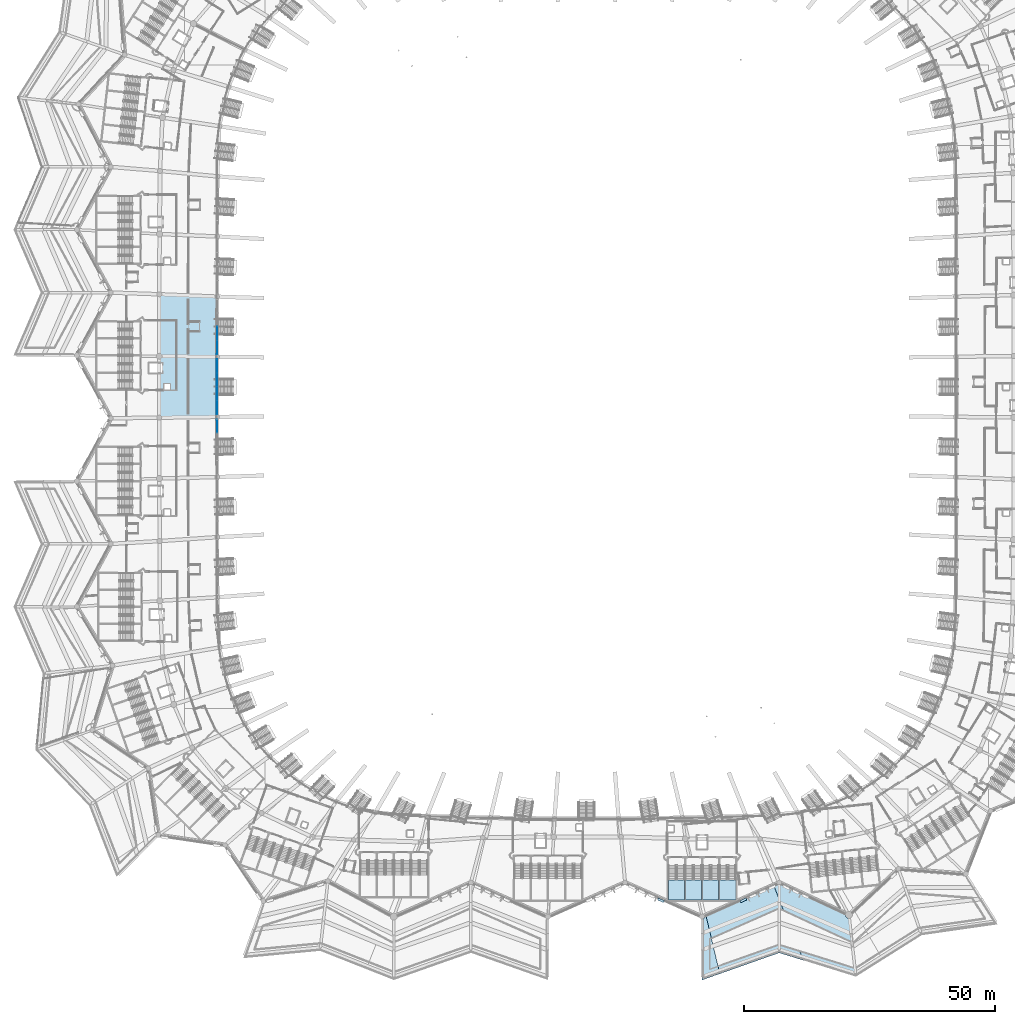
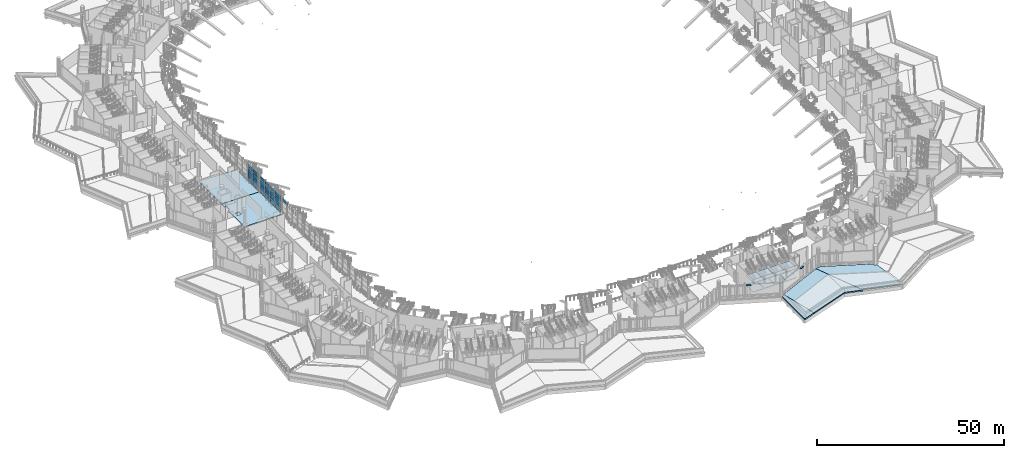
# One storey, part 27 of 173: 27 plates, 13 slabs, 7 elements without a shape of their own.
"""IFC4 building model written with IfcOpenShell, lengths in metres."""

from ifc_helpers import new_model, si_unit, direction, frame, origin, origin_2d, place, context, subcontext, project, spatial, polyline, rectangle, outline, extrude, material, layer, layer_set, type_object, element, aggregate, save


model = new_model("IFC4")

# Units and contexts
model_context = context("Model", 3, precision=1e-05, world=origin(), true_north=direction((0.0, 1.0)))
body_context = subcontext(model_context, "Body", "Model", "MODEL_VIEW")
ifc_project = project(units=[si_unit("LENGTHUNIT", "METRE"), si_unit("AREAUNIT", "SQUARE_METRE"), si_unit("VOLUMEUNIT", "CUBIC_METRE"), si_unit("PLANEANGLEUNIT", "RADIAN"), si_unit("MASSUNIT", "GRAM", prefix="KILO")], contexts=[model_context])

# Site, building, storey
site_placement = place(None, origin())
site = spatial("IfcSite", under=ifc_project, at=site_placement, CompositionType="ELEMENT")
building_placement = place(site_placement, origin())
building = spatial("IfcBuilding", under=site, at=building_placement, Name="Meseta Stadium", CompositionType="ELEMENT")
storey_placement = place(building_placement, frame((0.0, 0.0, 18.0)))
storey = spatial("IfcBuildingStorey", under=building, at=storey_placement, Name="L03", CompositionType="ELEMENT", Elevation=18.0)

# Curtain wall, plates
ifc_material_1 = material(Name="Aluminium", Category="aluminium")
ifc_layer_1 = layer(ifc_material_1, 0.25)
ifc_layer_set_1 = layer_set([ifc_layer_1], Name="Media Centre glazing curtain wall")
curtain_wall_type = type_object("IfcCurtainWallType", Name="Media Centre glazing curtain wall", PredefinedType="NOTDEFINED", material=ifc_layer_set_1)
curtain_wall_1_placement = place(storey_placement, origin())
curtain_wall_1 = element("IfcCurtainWall", 1, at=curtain_wall_1_placement, inside=storey, type_object=curtain_wall_type, Name="Media Centre glazing bay 31", PredefinedType="NOTDEFINED")
ifc_material_2 = material(Name="Glass", Category="glass")
ifc_layer_2 = layer(ifc_material_2, 0.028076171875)
ifc_layer_set_2 = layer_set([ifc_layer_2], Name="CW glass panel 28")
plate_type_1 = type_object("IfcPlateType", Name="CW glass panel 28", PredefinedType="CURTAIN_PANEL", material=ifc_layer_set_2)
plate_1_placement = place(storey_placement, frame((-73.491943359375, 10.586669921875, 0.1201171875), z_axis=(0.0, 0.0, 1.0), x_axis=(-0.001305425729, -0.999999147931, 0.0)))
plate_1 = element("IfcPlate", 2, at=plate_1_placement, type_object=plate_type_1, Name="CWM panel 3.1", PredefinedType="CURTAIN_PANEL", context=body_context, shape_type="SweptSolid", body=[
    extrude(rectangle(XDim=2.69091796875, YDim=0.028076171875, at=origin_2d()), origin(), (0.0, 0.0, 1.0), 1.232421875),
])
plate_2_placement = place(storey_placement, frame((-73.491943359375, 10.586669921875, 1.472412109375), z_axis=(0.0, 0.0, 1.0), x_axis=(-0.001305425729, -0.999999147931, 0.0)))
plate_2 = element("IfcPlate", 3, at=plate_2_placement, type_object=plate_type_1, Name="CWM panel 3.2", PredefinedType="CURTAIN_PANEL", context=body_context, shape_type="SweptSolid", body=[
    extrude(rectangle(XDim=2.69091796875, YDim=0.028076171875, at=origin_2d()), origin(), (0.0, 0.0, 1.0), 1.29248046875),
])
plate_3_placement = place(storey_placement, frame((-73.491943359375, 10.586669921875, 2.884765625), z_axis=(0.0, 0.0, 1.0), x_axis=(-0.001305425729, -0.999999147931, 0.0)))
plate_3 = element("IfcPlate", 4, at=plate_3_placement, type_object=plate_type_1, Name="CWM panel 3.3", PredefinedType="CURTAIN_PANEL", context=body_context, shape_type="SweptSolid", body=[
    extrude(rectangle(XDim=2.69091796875, YDim=0.028076171875, at=origin_2d()), origin(), (0.0, 0.0, 1.0), 1.522705078125),
])
plate_4_placement = place(storey_placement, frame((-73.491943359375, 10.586669921875, 4.52783203125), z_axis=(0.0, 0.0, 1.0), x_axis=(-0.001305425729, -0.999999147931, 0.0)))
plate_4 = element("IfcPlate", 5, at=plate_4_placement, type_object=plate_type_1, Name="CWM panel 3.4", PredefinedType="CURTAIN_PANEL", context=body_context, shape_type="SweptSolid", body=[
    extrude(rectangle(XDim=2.69091796875, YDim=0.028076171875, at=origin_2d()), origin(), (0.0, 0.0, 1.0), 1.002197265625),
])
plate_5_placement = place(storey_placement, frame((-73.49560546875, 7.850830078125, 0.1201171875), z_axis=(0.0, 0.0, 1.0), x_axis=(-0.001305425729, -0.999999147931, 0.0)))
plate_5 = element("IfcPlate", 6, at=plate_5_placement, type_object=plate_type_1, Name="CWM panel 4.1", PredefinedType="CURTAIN_PANEL", context=body_context, shape_type="SweptSolid", body=[
    extrude(rectangle(XDim=2.6611328125, YDim=0.028076171875, at=origin_2d()), origin(), (0.0, 0.0, 1.0), 1.232421875),
])
plate_6_placement = place(storey_placement, frame((-73.49560546875, 7.850830078125, 1.472412109375), z_axis=(0.0, 0.0, 1.0), x_axis=(-0.001305425729, -0.999999147931, 0.0)))
plate_6 = element("IfcPlate", 7, at=plate_6_placement, type_object=plate_type_1, Name="CWM panel 4.2", PredefinedType="CURTAIN_PANEL", context=body_context, shape_type="SweptSolid", body=[
    extrude(rectangle(XDim=2.6611328125, YDim=0.028076171875, at=origin_2d()), origin(), (0.0, 0.0, 1.0), 1.29248046875),
])
plate_7_placement = place(storey_placement, frame((-73.49560546875, 7.850830078125, 2.884765625), z_axis=(0.0, 0.0, 1.0), x_axis=(-0.001305425729, -0.999999147931, 0.0)))
plate_7 = element("IfcPlate", 8, at=plate_7_placement, type_object=plate_type_1, Name="CWM panel 4.3", PredefinedType="CURTAIN_PANEL", context=body_context, shape_type="SweptSolid", body=[
    extrude(rectangle(XDim=2.6611328125, YDim=0.028076171875, at=origin_2d()), origin(), (0.0, 0.0, 1.0), 1.522705078125),
])
plate_8_placement = place(storey_placement, frame((-73.49560546875, 7.850830078125, 4.52783203125), z_axis=(0.0, 0.0, 1.0), x_axis=(-0.001305425729, -0.999999147931, 0.0)))
plate_8 = element("IfcPlate", 9, at=plate_8_placement, type_object=plate_type_1, Name="CWM panel 4.4", PredefinedType="CURTAIN_PANEL", context=body_context, shape_type="SweptSolid", body=[
    extrude(rectangle(XDim=2.6611328125, YDim=0.028076171875, at=origin_2d()), origin(), (0.0, 0.0, 1.0), 1.002197265625),
])
aggregate(curtain_wall_1, [plate_1, plate_2, plate_3, plate_4, plate_5, plate_6, plate_7, plate_8])

curtain_wall_2_placement = place(storey_placement, origin())
curtain_wall_2 = element("IfcCurtainWall", 10, at=curtain_wall_2_placement, inside=storey, type_object=curtain_wall_type, Name="Media Centre glazing bay 32", PredefinedType="NOTDEFINED")
plate_9_placement = place(storey_placement, frame((-73.498046875, 4.11181640625, 0.1201171875), z_axis=(0.0, 0.0, 1.0), x_axis=(0.0, -1.0, 0.0)))
plate_9 = element("IfcPlate", 11, at=plate_9_placement, type_object=plate_type_1, Name="CWM panel 1.1", PredefinedType="CURTAIN_PANEL", context=body_context, shape_type="SweptSolid", body=[
    extrude(rectangle(XDim=2.6611328125, YDim=0.028076171875, at=origin_2d()), origin(), (0.0, 0.0, 1.0), 1.232421875),
])
plate_10_placement = place(storey_placement, frame((-73.498046875, 4.11181640625, 1.472412109375), z_axis=(0.0, 0.0, 1.0), x_axis=(0.0, -1.0, 0.0)))
plate_10 = element("IfcPlate", 12, at=plate_10_placement, type_object=plate_type_1, Name="CWM panel 1.2", PredefinedType="CURTAIN_PANEL", context=body_context, shape_type="SweptSolid", body=[
    extrude(rectangle(XDim=2.6611328125, YDim=0.028076171875, at=origin_2d()), origin(), (0.0, 0.0, 1.0), 1.29248046875),
])
plate_11_placement = place(storey_placement, frame((-73.498046875, 4.11181640625, 2.884765625), z_axis=(0.0, 0.0, 1.0), x_axis=(0.0, -1.0, 0.0)))
plate_11 = element("IfcPlate", 13, at=plate_11_placement, type_object=plate_type_1, Name="CWM panel 1.3", PredefinedType="CURTAIN_PANEL", context=body_context, shape_type="SweptSolid", body=[
    extrude(rectangle(XDim=2.6611328125, YDim=0.028076171875, at=origin_2d()), origin(), (0.0, 0.0, 1.0), 1.451904296875),
])
plate_12_placement = place(storey_placement, frame((-73.498046875, 4.11181640625, 4.456787109375), z_axis=(0.0, 0.0, 1.0), x_axis=(0.0, -1.0, 0.0)))
plate_12 = element("IfcPlate", 14, at=plate_12_placement, type_object=plate_type_1, Name="CWM panel 1.4", PredefinedType="CURTAIN_PANEL", context=body_context, shape_type="SweptSolid", body=[
    extrude(rectangle(XDim=2.6611328125, YDim=0.028076171875, at=origin_2d()), origin(), (0.0, 0.0, 1.0), 1.0732421875),
])
plate_13_placement = place(storey_placement, frame((-73.498046875, 1.37548828125, 0.1201171875), z_axis=(0.0, 0.0, 1.0), x_axis=(0.0, -1.0, 0.0)))
plate_13 = element("IfcPlate", 15, at=plate_13_placement, type_object=plate_type_1, Name="CWM panel 2.1", PredefinedType="CURTAIN_PANEL", context=body_context, shape_type="SweptSolid", body=[
    extrude(rectangle(XDim=2.691162109375, YDim=0.028076171875, at=origin_2d()), origin(), (0.0, 0.0, 1.0), 1.232421875),
])
plate_14_placement = place(storey_placement, frame((-73.498046875, 1.37548828125, 1.472412109375), z_axis=(0.0, 0.0, 1.0), x_axis=(0.0, -1.0, 0.0)))
plate_14 = element("IfcPlate", 16, at=plate_14_placement, type_object=plate_type_1, Name="CWM panel 2.2", PredefinedType="CURTAIN_PANEL", context=body_context, shape_type="SweptSolid", body=[
    extrude(rectangle(XDim=2.691162109375, YDim=0.028076171875, at=origin_2d()), origin(), (0.0, 0.0, 1.0), 1.29248046875),
])
plate_15_placement = place(storey_placement, frame((-73.498046875, 1.37548828125, 2.884765625), z_axis=(0.0, 0.0, 1.0), x_axis=(0.0, -1.0, 0.0)))
plate_15 = element("IfcPlate", 17, at=plate_15_placement, type_object=plate_type_1, Name="CWM panel 2.3", PredefinedType="CURTAIN_PANEL", context=body_context, shape_type="SweptSolid", body=[
    extrude(rectangle(XDim=2.691162109375, YDim=0.028076171875, at=origin_2d()), origin(), (0.0, 0.0, 1.0), 1.451904296875),
])
plate_16_placement = place(storey_placement, frame((-73.498046875, 1.37548828125, 4.456787109375), z_axis=(0.0, 0.0, 1.0), x_axis=(0.0, -1.0, 0.0)))
plate_16 = element("IfcPlate", 18, at=plate_16_placement, type_object=plate_type_1, Name="CWM panel 2.4", PredefinedType="CURTAIN_PANEL", context=body_context, shape_type="SweptSolid", body=[
    extrude(rectangle(XDim=2.691162109375, YDim=0.028076171875, at=origin_2d()), origin(), (0.0, 0.0, 1.0), 1.0732421875),
])
plate_17_placement = place(storey_placement, frame((-73.498046875, -1.37548828125, 0.1201171875), z_axis=(0.0, 0.0, 1.0), x_axis=(0.0, -1.0, 0.0)))
plate_17 = element("IfcPlate", 19, at=plate_17_placement, type_object=plate_type_1, Name="CWM panel 3.1", PredefinedType="CURTAIN_PANEL", context=body_context, shape_type="SweptSolid", body=[
    extrude(rectangle(XDim=2.691162109375, YDim=0.028076171875, at=origin_2d()), origin(), (0.0, 0.0, 1.0), 1.232421875),
])
plate_18_placement = place(storey_placement, frame((-73.498046875, -1.37548828125, 1.472412109375), z_axis=(0.0, 0.0, 1.0), x_axis=(0.0, -1.0, 0.0)))
plate_18 = element("IfcPlate", 20, at=plate_18_placement, type_object=plate_type_1, Name="CWM panel 3.2", PredefinedType="CURTAIN_PANEL", context=body_context, shape_type="SweptSolid", body=[
    extrude(rectangle(XDim=2.691162109375, YDim=0.028076171875, at=origin_2d()), origin(), (0.0, 0.0, 1.0), 1.29248046875),
])
plate_19_placement = place(storey_placement, frame((-73.498046875, -1.37548828125, 2.884765625), z_axis=(0.0, 0.0, 1.0), x_axis=(0.0, -1.0, 0.0)))
plate_19 = element("IfcPlate", 21, at=plate_19_placement, type_object=plate_type_1, Name="CWM panel 3.3", PredefinedType="CURTAIN_PANEL", context=body_context, shape_type="SweptSolid", body=[
    extrude(rectangle(XDim=2.691162109375, YDim=0.028076171875, at=origin_2d()), origin(), (0.0, 0.0, 1.0), 1.451904296875),
])
plate_20_placement = place(storey_placement, frame((-73.498046875, -1.37548828125, 4.456787109375), z_axis=(0.0, 0.0, 1.0), x_axis=(0.0, -1.0, 0.0)))
plate_20 = element("IfcPlate", 22, at=plate_20_placement, type_object=plate_type_1, Name="CWM panel 3.4", PredefinedType="CURTAIN_PANEL", context=body_context, shape_type="SweptSolid", body=[
    extrude(rectangle(XDim=2.691162109375, YDim=0.028076171875, at=origin_2d()), origin(), (0.0, 0.0, 1.0), 1.0732421875),
])
plate_21_placement = place(storey_placement, frame((-73.498046875, -4.11181640625, 0.1201171875), z_axis=(0.0, 0.0, 1.0), x_axis=(0.0, -1.0, 0.0)))
plate_21 = element("IfcPlate", 23, at=plate_21_placement, type_object=plate_type_1, Name="CWM panel 4.1", PredefinedType="CURTAIN_PANEL", context=body_context, shape_type="SweptSolid", body=[
    extrude(rectangle(XDim=2.6611328125, YDim=0.028076171875, at=origin_2d()), origin(), (0.0, 0.0, 1.0), 1.232421875),
])
plate_22_placement = place(storey_placement, frame((-73.498046875, -4.11181640625, 1.472412109375), z_axis=(0.0, 0.0, 1.0), x_axis=(0.0, -1.0, 0.0)))
plate_22 = element("IfcPlate", 24, at=plate_22_placement, type_object=plate_type_1, Name="CWM panel 4.2", PredefinedType="CURTAIN_PANEL", context=body_context, shape_type="SweptSolid", body=[
    extrude(rectangle(XDim=2.6611328125, YDim=0.028076171875, at=origin_2d()), origin(), (0.0, 0.0, 1.0), 1.29248046875),
])
plate_23_placement = place(storey_placement, frame((-73.498046875, -4.11181640625, 2.884765625), z_axis=(0.0, 0.0, 1.0), x_axis=(0.0, -1.0, 0.0)))
plate_23 = element("IfcPlate", 25, at=plate_23_placement, type_object=plate_type_1, Name="CWM panel 4.3", PredefinedType="CURTAIN_PANEL", context=body_context, shape_type="SweptSolid", body=[
    extrude(rectangle(XDim=2.6611328125, YDim=0.028076171875, at=origin_2d()), origin(), (0.0, 0.0, 1.0), 1.451904296875),
])
plate_24_placement = place(storey_placement, frame((-73.498046875, -4.11181640625, 4.456787109375), z_axis=(0.0, 0.0, 1.0), x_axis=(0.0, -1.0, 0.0)))
plate_24 = element("IfcPlate", 26, at=plate_24_placement, type_object=plate_type_1, Name="CWM panel 4.4", PredefinedType="CURTAIN_PANEL", context=body_context, shape_type="SweptSolid", body=[
    extrude(rectangle(XDim=2.6611328125, YDim=0.028076171875, at=origin_2d()), origin(), (0.0, 0.0, 1.0), 1.0732421875),
])
aggregate(curtain_wall_2, [plate_9, plate_10, plate_11, plate_12, plate_13, plate_14, plate_15, plate_16, plate_17, plate_18, plate_19, plate_20, plate_21, plate_22, plate_23, plate_24])

# Curtain wall, plate
curtain_wall_3_placement = place(storey_placement, origin())
curtain_wall_3 = element("IfcCurtainWall", 27, at=curtain_wall_3_placement, inside=storey, type_object=curtain_wall_type, Name="Media Centre glazing bay 33", PredefinedType="NOTDEFINED")
plate_25_placement = place(storey_placement, frame((-73.49560546875, -7.850830078125, 4.52783203125), z_axis=(0.0, 0.0, 1.0), x_axis=(0.001305425729, -0.999999147931, 0.0)))
plate_25 = element("IfcPlate", 28, at=plate_25_placement, type_object=plate_type_1, Name="CWM panel 1.4", PredefinedType="CURTAIN_PANEL", context=body_context, shape_type="SweptSolid", body=[
    extrude(rectangle(XDim=2.6611328125, YDim=0.028076171875, at=origin_2d()), origin(), (0.0, 0.0, 1.0), 1.002197265625),
])
aggregate(curtain_wall_3, [plate_25])

# Slabs
ifc_material_3 = material(Name="Concrete C40/50", Category="concrete")
ifc_layer_3 = layer(ifc_material_3, 0.35009765625)
ifc_layer_set_3 = layer_set([ifc_layer_3], Name="Floor slab 350")
slab_type_1 = type_object("IfcSlabType", Name="Floor slab 350", PredefinedType="FLOOR", material=ifc_layer_set_3)
slab_1_placement = place(storey_placement, frame((0.0, 0.0, -0.35009765625)))
element("IfcSlab", 29, at=slab_1_placement, inside=storey, type_object=slab_type_1, Name="Floor slab L03 sector 28 panel 08", PredefinedType="FLOOR", context=body_context, shape_type="SweptSolid", body=[
    extrude(outline(polyline([(-73.482421875, 17.943603515625), (-84.97314453125, 18.41064453125), (-84.99755859375, 6.107421875), (-73.498046875, 5.981201171875), (-73.49462890625, 9.96875), (-73.482421875, 17.943603515625)])), origin(), (0.0, 0.0, 1.0), 0.35009765625),
])
slab_2_placement = place(storey_placement, frame((0.0, 0.0, -0.35009765625)))
element("IfcSlab", 30, at=slab_2_placement, inside=storey, type_object=slab_type_1, Name="Floor slab L03 sector 28 panel 11", PredefinedType="FLOOR", context=body_context, shape_type="SweptSolid", body=[
    extrude(outline(polyline([(-73.498046875, 5.981201171875), (-84.99755859375, 6.107421875), (-84.99755859375, 4.699951171875), (-84.39990234375, 4.699951171875), (-84.39990234375, 2.800048828125), (-84.997314453125, 2.800048828125), (-84.9970703125, -6.107421875), (-73.498046875, -5.981201171875), (-73.499755859375, -1.993896484375), (-73.498046875, 5.981201171875)]), holes=[polyline([(-82.85009765625, -0.60009765625), (-84.050048828125, -0.60009765625), (-84.050048828125, 0.60009765625), (-82.85009765625, 0.60009765625), (-82.85009765625, -0.60009765625)])]), origin(), (0.0, 0.0, 1.0), 0.35009765625),
])

# Plates
ifc_material_4 = material(Name="White precast concrete C40/50", Category="concrete")
ifc_layer_4 = layer(ifc_material_4, 0.080078125)
ifc_layer_set_4 = layer_set([ifc_layer_4], Name="Louvre hood 1300x450")
plate_type_2 = type_object("IfcPlateType", Name="Louvre hood 1300x450", PredefinedType="USERDEFINED", material=ifc_layer_set_4)
for number, where, z_axis, x_axis, name in (
    (31, (14.792236328125, -102.142822265625, 4.25), (0.0, 0.0, 1.0), (0.914139046248, -0.40540079443, 0.0), "Louvre hood L03 F47"),
    (32, (31.207763671875, -102.142822265625, 4.25), (0.0, 0.0, 1.0), (0.914139046248, 0.40540079443, 0.0), "Louvre hood L03 F48"),
):
    element("IfcPlate", number, at=place(storey_placement, frame(where, z_axis=z_axis, x_axis=x_axis)), inside=storey, type_object=plate_type_2, Name=name, ObjectType="LOUVRE", PredefinedType="USERDEFINED", context=body_context, shape_type="SweptSolid", body=[
        extrude(rectangle(XDim=1.300048828125, YDim=0.449951171875, at=origin_2d()), origin(), (0.0, 0.0, 1.0), 0.080078125),
    ])

# Slabs
ifc_material_5 = material(Name="Concrete C40/50", Category="concrete")
ifc_layer_5 = layer(ifc_material_5, 0.39990234375)
ifc_layer_set_5 = layer_set([ifc_layer_5], Name="Roof garden slab 400")
slab_type_2 = type_object("IfcSlabType", Name="Roof garden slab 400", PredefinedType="ROOF", material=ifc_layer_set_5)
slab_3_placement = place(storey_placement, frame((0.0, 0.0, -0.39990234375)))
element("IfcSlab", 33, at=slab_3_placement, inside=storey, type_object=slab_type_2, Name="Roof garden slab 7 part 1 panel 01", PredefinedType="ROOF", context=body_context, shape_type="SweptSolid", body=[
    extrude(outline(polyline([(23.767578125, -105.2236328125), (23.496826171875, -105.34375), (23.50439453125, -105.39990234375), (23.487060546875, -105.530517578125), (23.436767578125, -105.652099609375), (23.356689453125, -105.756591796875), (23.252197265625, -105.836669921875), (23.130615234375, -105.88720703125), (23.0, -105.904296875), (23.0, -118.0), (26.514892578125, -116.76220703125), (23.767578125, -105.2236328125)])), origin(), (0.0, 0.0, 1.0), 0.39990234375),
])
slab_4_placement = place(storey_placement, frame((0.0, 0.0, -0.39990234375)))
element("IfcSlab", 34, at=slab_4_placement, inside=storey, type_object=slab_type_2, Name="Roof garden slab 7 part 1 panel 02", PredefinedType="ROOF", context=body_context, shape_type="SweptSolid", body=[
    extrude(outline(polyline([(43.118408203125, -114.085205078125), (37.232421875, -99.25244140625), (23.767578125, -105.2236328125), (26.514892578125, -116.76220703125), (38.333251953125, -112.60009765625), (43.118408203125, -114.085205078125)])), origin(), (0.0, 0.0, 1.0), 0.39990234375),
])
slab_5_placement = place(storey_placement, frame((0.0, 0.0, -0.39990234375)))
element("IfcSlab", 35, at=slab_5_placement, inside=storey, type_object=slab_type_2, Name="Roof garden slab 7 part 2 panel 01", PredefinedType="ROOF", context=body_context, shape_type="SweptSolid", body=[
    extrude(outline(polyline([(38.560302734375, -98.9931640625), (38.45068359375, -99.038330078125), (38.333251953125, -99.053955078125), (38.2158203125, -99.038330078125), (38.1064453125, -98.9931640625), (38.012451171875, -98.9208984375), (38.004150390625, -98.91015625), (37.25048828125, -99.244384765625), (42.87451171875, -113.4169921875), (53.51953125, -116.73828125), (52.28125, -105.747314453125), (52.202880859375, -105.7578125), (52.02001953125, -105.733642578125), (51.849853515625, -105.6630859375), (51.70361328125, -105.55078125), (51.59130859375, -105.40478515625), (51.520751953125, -105.234375), (51.496826171875, -105.0517578125), (51.51708984375, -104.898193359375), (38.65771484375, -98.91650390625), (38.654296875, -98.9208984375), (38.560302734375, -98.9931640625)])), origin(), (0.0, 0.0, 1.0), 0.39990234375),
])

# Stair, slabs
ifc_material_6 = material(Name="Concrete C40/50", Category="concrete")
stair_type = type_object("IfcStairType", Name="Exit stair 4 flights 150 mm risers", PredefinedType="HALF_TURN_STAIR", material=ifc_material_6)
stair_1_placement = place(storey_placement, origin())
stair_1 = element("IfcStair", 36, at=stair_1_placement, inside=storey, type_object=stair_type, Name="ST97 L03", PredefinedType="HALF_TURN_STAIR")
ifc_material_7 = material(Name="Concrete C40/50", Category="concrete")
ifc_layer_6 = layer(ifc_material_7, 0.199951171875)
ifc_layer_set_6 = layer_set([ifc_layer_6], Name="Stair landing 200")
slab_type_3 = type_object("IfcSlabType", Name="Stair landing 200", PredefinedType="LANDING", material=ifc_layer_set_6)
slab_6_placement = place(storey_placement, frame((0.0, 0.0, 1.300048828125)))
slab_6 = element("IfcSlab", 37, at=slab_6_placement, type_object=slab_type_3, Name="ST97 L03 landing 1", PredefinedType="LANDING", context=body_context, shape_type="SweptSolid", body=[
    extrude(outline(polyline([(16.300048828125, -98.070068359375), (16.300048828125, -102.10009765625), (19.5, -102.10009765625), (19.5, -98.070068359375), (16.300048828125, -98.070068359375)])), origin(), (0.0, 0.0, 1.0), 0.199951171875),
])
slab_7_placement = place(storey_placement, frame((0.0, 0.0, 4.300048828125)))
slab_7 = element("IfcSlab", 38, at=slab_7_placement, type_object=slab_type_3, Name="ST97 L03 landing 3", PredefinedType="LANDING", context=body_context, shape_type="SweptSolid", body=[
    extrude(outline(polyline([(16.300048828125, -98.070068359375), (16.300048828125, -102.10009765625), (19.5, -102.10009765625), (19.5, -98.070068359375), (16.300048828125, -98.070068359375)])), origin(), (0.0, 0.0, 1.0), 0.199951171875),
])
aggregate(stair_1, [slab_6, slab_7])

stair_2_placement = place(storey_placement, origin())
stair_2 = element("IfcStair", 39, at=stair_2_placement, inside=storey, type_object=stair_type, Name="ST98 L03", PredefinedType="HALF_TURN_STAIR")
slab_8_placement = place(storey_placement, frame((0.0, 0.0, 1.300048828125)))
slab_8 = element("IfcSlab", 40, at=slab_8_placement, type_object=slab_type_3, Name="ST98 L03 landing 1", PredefinedType="LANDING", context=body_context, shape_type="SweptSolid", body=[
    extrude(outline(polyline([(19.699951171875, -98.070068359375), (19.699951171875, -102.10009765625), (22.89990234375, -102.10009765625), (22.89990234375, -98.070068359375), (19.699951171875, -98.070068359375)])), origin(), (0.0, 0.0, 1.0), 0.199951171875),
])
slab_9_placement = place(storey_placement, frame((0.0, 0.0, 4.300048828125)))
slab_9 = element("IfcSlab", 41, at=slab_9_placement, type_object=slab_type_3, Name="ST98 L03 landing 3", PredefinedType="LANDING", context=body_context, shape_type="SweptSolid", body=[
    extrude(outline(polyline([(19.699951171875, -98.070068359375), (19.699951171875, -102.10009765625), (22.89990234375, -102.10009765625), (22.89990234375, -98.070068359375), (19.699951171875, -98.070068359375)])), origin(), (0.0, 0.0, 1.0), 0.199951171875),
])
aggregate(stair_2, [slab_8, slab_9])

stair_3_placement = place(storey_placement, origin())
stair_3 = element("IfcStair", 42, at=stair_3_placement, inside=storey, type_object=stair_type, Name="ST99 L03", PredefinedType="HALF_TURN_STAIR")
slab_10_placement = place(storey_placement, frame((0.0, 0.0, 1.300048828125)))
slab_10 = element("IfcSlab", 43, at=slab_10_placement, type_object=slab_type_3, Name="ST99 L03 landing 1", PredefinedType="LANDING", context=body_context, shape_type="SweptSolid", body=[
    extrude(outline(polyline([(23.10009765625, -98.070068359375), (23.10009765625, -102.10009765625), (26.300048828125, -102.10009765625), (26.300048828125, -98.070068359375), (23.10009765625, -98.070068359375)])), origin(), (0.0, 0.0, 1.0), 0.199951171875),
])
slab_11_placement = place(storey_placement, frame((0.0, 0.0, 4.300048828125)))
slab_11 = element("IfcSlab", 44, at=slab_11_placement, type_object=slab_type_3, Name="ST99 L03 landing 3", PredefinedType="LANDING", context=body_context, shape_type="SweptSolid", body=[
    extrude(outline(polyline([(23.10009765625, -98.070068359375), (23.10009765625, -102.10009765625), (26.300048828125, -102.10009765625), (26.300048828125, -98.070068359375), (23.10009765625, -98.070068359375)])), origin(), (0.0, 0.0, 1.0), 0.199951171875),
])
aggregate(stair_3, [slab_10, slab_11])

stair_4_placement = place(storey_placement, origin())
stair_4 = element("IfcStair", 45, at=stair_4_placement, inside=storey, type_object=stair_type, Name="ST100 L03", PredefinedType="HALF_TURN_STAIR")
slab_12_placement = place(storey_placement, frame((0.0, 0.0, 1.300048828125)))
slab_12 = element("IfcSlab", 46, at=slab_12_placement, type_object=slab_type_3, Name="ST100 L03 landing 1", PredefinedType="LANDING", context=body_context, shape_type="SweptSolid", body=[
    extrude(outline(polyline([(26.5, -98.070068359375), (26.5, -102.10009765625), (29.699951171875, -102.10009765625), (29.699951171875, -98.070068359375), (26.5, -98.070068359375)])), origin(), (0.0, 0.0, 1.0), 0.199951171875),
])
slab_13_placement = place(storey_placement, frame((0.0, 0.0, 4.300048828125)))
slab_13 = element("IfcSlab", 47, at=slab_13_placement, type_object=slab_type_3, Name="ST100 L03 landing 3", PredefinedType="LANDING", context=body_context, shape_type="SweptSolid", body=[
    extrude(outline(polyline([(26.5, -98.070068359375), (26.5, -102.10009765625), (29.699951171875, -102.10009765625), (29.699951171875, -98.070068359375), (26.5, -98.070068359375)])), origin(), (0.0, 0.0, 1.0), 0.199951171875),
])
aggregate(stair_4, [slab_12, slab_13])

save(model, "model.ifc")
